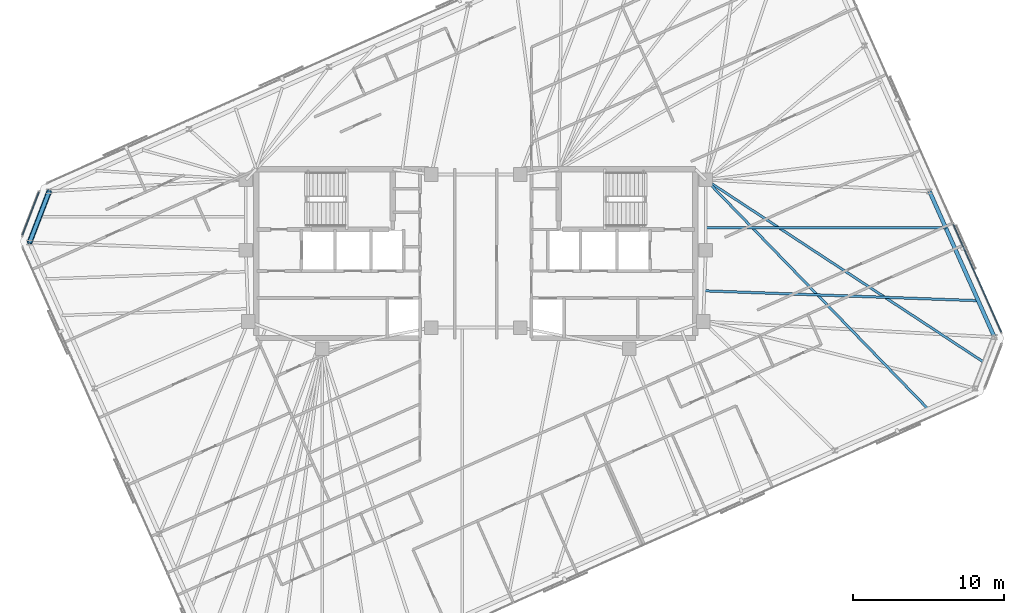
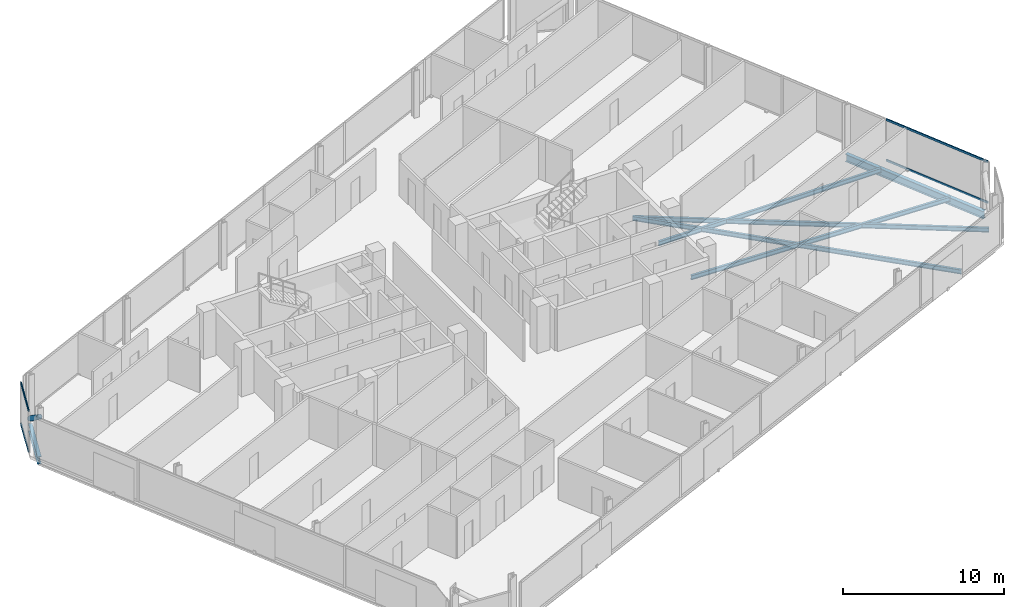
# One storey, part 8 of 19: 6 beams, 5 members, 2 elements without a shape of their own.
"""IFC4 building model written with IfcOpenShell, lengths in metres."""

import ifcopenshell
import ifcopenshell.guid

model = None  # the IFC model being written
_history = None  # IfcOwnerHistory: only IFC2X3 demands one
_inside = {}  # id of a spatial element -> (the spatial element, [elements in it])
_under = {}  # id of a project, library or spatial element -> (it, [spatial elements below it])
_declared = {}  # id of a project -> (the project, [libraries it declares])
_typed = {}  # id of a type object -> (the type object, [elements of that type])
_made_of = {}  # id of a material, layer set ... -> (it, [elements and type objects made of it])


def new_model(schema):
    """Start an empty IFC model of exactly this schema.

    Asked for "IFC4X3", IfcOpenShell would pick the latest addendum, in which some entities
    have other attributes; the version numbers below select the first issue.
    IFC2X3 requires an IfcOwnerHistory on every rooted entity: one is made here for all.
    """
    global model, _history
    if schema == "IFC4X3":
        model = ifcopenshell.file(schema_version=(4, 3, 0, 0))
    else:
        model = ifcopenshell.file(schema=schema)
    _inside.clear()
    _under.clear()
    _declared.clear()
    _typed.clear()
    _made_of.clear()
    _history = None
    if model.schema == "IFC2X3":
        org = make("IfcOrganization", Name="unknown")
        user = make(
            "IfcPersonAndOrganization",
            ThePerson=make("IfcPerson", FamilyName="unknown"),
            TheOrganization=org,
        )
        app = make(
            "IfcApplication",
            ApplicationDeveloper=org,
            Version="unknown",
            ApplicationFullName="unknown",
            ApplicationIdentifier="unknown",
        )
        _history = make(
            "IfcOwnerHistory",
            OwningUser=user,
            OwningApplication=app,
            ChangeAction="ADDED",
            CreationDate=0,
        )
    return model


def make(cls, **values):
    """One entity of the class cls with the attributes given. An attribute that is None is left unset."""
    return model.create_entity(
        cls, **{name: value for name, value in values.items() if value is not None}
    )


def rooted(cls, **values):
    """An entity with a GlobalId (a new one), such as an element, a storey or a relation."""
    return make(cls, GlobalId=ifcopenshell.guid.new(), OwnerHistory=_history, **values)


def si_unit(unit_type, name, prefix=None):
    """IfcSIUnit, for example si_unit("LENGTHUNIT", "METRE", prefix="MILLI")."""
    return make("IfcSIUnit", UnitType=unit_type, Prefix=prefix, Name=name)


def assignment(units):
    """IfcUnitAssignment: the units of a project."""
    return None if units is None else make("IfcUnitAssignment", Units=units)


def point(xyz):
    """IfcCartesianPoint."""
    return None if xyz is None else make("IfcCartesianPoint", Coordinates=xyz)


def direction(xyz):
    """IfcDirection."""
    return None if xyz is None else make("IfcDirection", DirectionRatios=xyz)


def frame(location, z_axis=None, x_axis=None):
    """IfcAxis2Placement3D, a coordinate frame: its origin and axes. An axis left out is left unset."""
    return make(
        "IfcAxis2Placement3D",
        Location=point(location),
        Axis=direction(z_axis),
        RefDirection=direction(x_axis),
    )


def frame_2d(location, x_axis=None):
    """IfcAxis2Placement2D, a coordinate frame in the plane: its origin and x axis."""
    return make(
        "IfcAxis2Placement2D", Location=point(location), RefDirection=direction(x_axis)
    )


def origin():
    """The frame at (0, 0, 0) with its axes left unset."""
    return frame((0.0, 0.0, 0.0))


def origin_2d():
    """The frame at (0, 0) in the plane with its x axis left unset."""
    return frame_2d((0.0, 0.0))


def place(relative_to, where):
    """IfcLocalPlacement: puts the frame where relative to a parent placement (None: the world)."""
    return make(
        "IfcLocalPlacement", PlacementRelTo=relative_to, RelativePlacement=where
    )


def context(
    kind, dimensions, precision=None, world=None, true_north=None, identifier=None
):
    """IfcGeometricRepresentationContext, for example the 3D "Model" context."""
    return make(
        "IfcGeometricRepresentationContext",
        ContextIdentifier=identifier,
        ContextType=kind,
        CoordinateSpaceDimension=dimensions,
        Precision=precision,
        WorldCoordinateSystem=world,
        TrueNorth=true_north,
    )


def subcontext(parent, identifier, kind, view, scale=None):
    """IfcGeometricRepresentationSubContext, for example "Body" below "Model"."""
    return make(
        "IfcGeometricRepresentationSubContext",
        ContextIdentifier=identifier,
        ContextType=kind,
        ParentContext=parent,
        TargetScale=scale,
        TargetView=view,
    )


def project(units=None, contexts=None):
    """IfcProject with its units and contexts."""
    return rooted(
        "IfcProject",
        Name="project",
        RepresentationContexts=contexts,
        UnitsInContext=assignment(units),
    )


def spatial(cls, under=None, at=None, **own):
    """A site, building, storey or space (cls), placed at a placement, below another one or the project."""
    s = rooted(cls, ObjectPlacement=at, **own)
    if under is not None:
        _under.setdefault(under.id(), (under, []))[1].append(s)
    return s


def profile(cls, at=None, kind="AREA", **sizes):
    """A parametric profile (cls). Its sizes go by their IFC names, for example OverallWidth=200.0."""
    return make(cls, ProfileType=kind, Position=at, **sizes)


def rectangle(**sizes):
    """IfcRectangleProfileDef."""
    return profile("IfcRectangleProfileDef", **sizes)


def hollow_circle(**sizes):
    """IfcCircleHollowProfileDef."""
    return profile("IfcCircleHollowProfileDef", **sizes)


def i_section(**sizes):
    """IfcIShapeProfileDef."""
    return profile("IfcIShapeProfileDef", **sizes)


def extrude(swept, where, along, depth):
    """IfcExtrudedAreaSolid: the profile swept, set in the frame where, extruded along a direction by depth."""
    return make(
        "IfcExtrudedAreaSolid",
        SweptArea=swept,
        Position=where,
        ExtrudedDirection=direction(along),
        Depth=depth,
    )


def shape(context_of_items, identifier, shape_type, items):
    """IfcShapeRepresentation: the items that make up one representation, for example the "Body"."""
    return make(
        "IfcShapeRepresentation",
        ContextOfItems=context_of_items,
        RepresentationIdentifier=identifier,
        RepresentationType=shape_type,
        Items=items,
    )


def material(Name=None, Category=None):
    """IfcMaterial."""
    return make("IfcMaterial", Name=Name, Category=Category)


def material_profile(
    of_material, cross_section, Name=None, Category=None, Priority=None
):
    """IfcMaterialProfile: a cross section and its material."""
    return make(
        "IfcMaterialProfile",
        Name=Name,
        Material=of_material,
        Profile=cross_section,
        Priority=Priority,
        Category=Category,
    )


def profile_set(profiles, Name=None, composite=None):
    """IfcMaterialProfileSet."""
    return make(
        "IfcMaterialProfileSet",
        Name=Name,
        MaterialProfiles=profiles,
        CompositeProfile=composite,
    )


def made_of(thing, what):
    """Note that an element or type object is made of a material, layer set ...; save() writes the relation."""
    if what is not None:
        _made_of.setdefault(what.id(), (what, []))[1].append(thing)
    return thing


def type_object(cls, material=None, **own):
    """A type object (cls), such as IfcWallType, which elements share."""
    return made_of(rooted(cls, **own), material)


def element(
    cls,
    number,
    at=None,
    inside=None,
    cuts=None,
    type_object=None,
    material=None,
    context=None,
    identifier="Body",
    shape_type=None,
    held_by="IfcProductDefinitionShape",
    body=None,
    shapes=None,
    **own,
):
    """One element of the class cls, such as IfcWall. Its Tag is "e" and its number.

    at: its placement. inside: the storey or other place that contains it. cuts: it is an
    opening in that element (IfcRelVoidsElement). A single representation is given by context,
    identifier, shape_type and body (its items); several are given by shapes. held_by: the class
    of the entity that holds the representations. save() writes the other relations.
    """
    e = rooted(cls, Tag="e%d" % number, ObjectPlacement=at, **own)
    if body is not None:
        shapes = [shape(context, identifier, shape_type, body)]
    if shapes is not None:
        e.Representation = make(held_by, Representations=shapes)
    if inside is not None:
        _inside.setdefault(inside.id(), (inside, []))[1].append(e)
    if cuts is not None:
        rooted(
            "IfcRelVoidsElement", RelatingBuildingElement=cuts, RelatedOpeningElement=e
        )
    if type_object is not None:
        _typed.setdefault(type_object.id(), (type_object, []))[1].append(e)
    return made_of(e, material)


def aggregate(whole, parts):
    """IfcRelAggregates: a whole, such as a stair, and the parts it consists of."""
    return rooted("IfcRelAggregates", RelatingObject=whole, RelatedObjects=parts)


def save(model, path):
    """Write the relations noted so far, then the file.

    IfcRelAggregates (storeys below a building ...), IfcRelContainedInSpatialStructure (elements
    in a storey), IfcRelDefinesByType, IfcRelAssociatesMaterial and IfcRelDeclares: one each for
    every whole, place, type object, material and project.
    """
    for whole, parts in _under.values():
        aggregate(whole, parts)
    for where, things in _inside.values():
        rooted(
            "IfcRelContainedInSpatialStructure",
            RelatedElements=things,
            RelatingStructure=where,
        )
    for kind, things in _typed.values():
        rooted("IfcRelDefinesByType", RelatedObjects=things, RelatingType=kind)
    for what, things in _made_of.values():
        rooted("IfcRelAssociatesMaterial", RelatedObjects=things, RelatingMaterial=what)
    for by, libraries in _declared.values():
        rooted("IfcRelDeclares", RelatingContext=by, RelatedDefinitions=libraries)
    model.write(path)


model = new_model("IFC4")

# Units and contexts
model_context = context("Model", 3, precision=1e-05, world=origin(), true_north=direction((0.0, 1.0)))
body_context = subcontext(model_context, "Body", "Model", "MODEL_VIEW")
ifc_project = project(units=[si_unit("LENGTHUNIT", "METRE"), si_unit("AREAUNIT", "SQUARE_METRE"), si_unit("VOLUMEUNIT", "CUBIC_METRE"), si_unit("PLANEANGLEUNIT", "RADIAN"), si_unit("MASSUNIT", "GRAM", prefix="KILO")], contexts=[model_context])

# Site, building, storey
site_placement = place(None, origin())
site = spatial("IfcSite", under=ifc_project, at=site_placement, CompositionType="ELEMENT")
building_placement = place(site_placement, origin())
building = spatial("IfcBuilding", under=site, at=building_placement, Name="Menara Jurai Vektor", CompositionType="ELEMENT")
storey_placement = place(building_placement, frame((0.0, 0.0, 302.0)))
storey = spatial("IfcBuildingStorey", under=building, at=storey_placement, Name="L81", CompositionType="ELEMENT", Elevation=302.0)

# Curtain wall, members
ifc_material_1 = material(Name="Anodised Pale Aluminium & Low-E Double Glazing", Category="aluminium")
curtain_wall_type = type_object("IfcCurtainWallType", Name="CW-BLK5", PredefinedType="NOTDEFINED", material=ifc_material_1)
curtain_wall_1_placement = place(storey_placement, origin())
curtain_wall_1 = element("IfcCurtainWall", 1, at=curtain_wall_1_placement, inside=storey, type_object=curtain_wall_type, Name="Unitised Curtain Wall L81 F03", PredefinedType="NOTDEFINED")
ifc_material_2 = material(Name="Anodised Pale Aluminium Transom", Category="aluminium")
ifc_material_profile_1 = material_profile(ifc_material_2, rectangle(XDim=0.074951171875, YDim=0.155029296875, at=origin_2d()), Name="ALU TRN 75x155")
ifc_profile_set_1 = profile_set([ifc_material_profile_1], Name="Anodised Pale Aluminium Transom")
member_type_1 = type_object("IfcMemberType", Name="CW-BLK5-TRN", PredefinedType="USERDEFINED", material=ifc_profile_set_1)
member_1_placement = place(storey_placement, frame((34.840087890625, -5.19189453125, 0.03759765625), z_axis=(-0.406739711224, 0.913544091609, 0.0), x_axis=(-0.913544091609, -0.406739711224, 0.0)))
member_1 = element("IfcMember", 2, at=member_1_placement, type_object=member_type_1, Name="CW-05 transom 1.1", ObjectType="TRANSOM", PredefinedType="USERDEFINED", context=body_context, shape_type="SweptSolid", body=[
    extrude(rectangle(XDim=0.074951171875, YDim=0.155029296875, at=origin_2d()), origin(), (0.0, 0.0, 1.0), 7.797607421875),
])
member_2_placement = place(storey_placement, frame((34.840087890625, -5.19189453125, 3.107421875), z_axis=(-0.406739711224, 0.913544091609, 0.0), x_axis=(-0.913544091609, -0.406739711224, 0.0)))
member_2 = element("IfcMember", 3, at=member_2_placement, type_object=member_type_1, Name="CW-05 transom 1.2", ObjectType="TRANSOM", PredefinedType="USERDEFINED", context=body_context, shape_type="SweptSolid", body=[
    extrude(rectangle(XDim=0.074951171875, YDim=0.155029296875, at=origin_2d()), origin(), (0.0, 0.0, 1.0), 7.797607421875),
])
aggregate(curtain_wall_1, [member_1, member_2])

curtain_wall_2_placement = place(storey_placement, origin())
curtain_wall_2 = element("IfcCurtainWall", 4, at=curtain_wall_2_placement, inside=storey, type_object=curtain_wall_type, Name="Unitised Curtain Wall L81 F06", PredefinedType="NOTDEFINED")
member_3_placement = place(storey_placement, frame((-28.96923828125, 4.079345703125, 0.03759765625), z_axis=(-0.358324523823, -0.933597094911, 0.0), x_axis=(0.933597094911, -0.358324523823, 0.0)))
member_3 = element("IfcMember", 5, at=member_3_placement, type_object=member_type_1, Name="CW-05 transom 1.1", ObjectType="TRANSOM", PredefinedType="USERDEFINED", context=body_context, shape_type="SweptSolid", body=[
    extrude(rectangle(XDim=0.074951171875, YDim=0.155029296875, at=origin_2d()), origin(), (0.0, 0.0, 1.0), 3.049560546875),
])
member_4_placement = place(storey_placement, frame((-28.96923828125, 4.079345703125, 3.107421875), z_axis=(-0.358324523823, -0.933597094911, 0.0), x_axis=(0.933597094911, -0.358324523823, 0.0)))
member_4 = element("IfcMember", 6, at=member_4_placement, type_object=member_type_1, Name="CW-05 transom 1.2", ObjectType="TRANSOM", PredefinedType="USERDEFINED", context=body_context, shape_type="SweptSolid", body=[
    extrude(rectangle(XDim=0.074951171875, YDim=0.155029296875, at=origin_2d()), origin(), (0.0, 0.0, 1.0), 3.049560546875),
])
aggregate(curtain_wall_2, [member_3, member_4])

# Member
ifc_material_3 = material(Name="Steel S460", Category="steel")
ifc_material_profile_2 = material_profile(ifc_material_3, hollow_circle(Radius=0.177734375, WallThickness=0.01611328125, at=origin_2d()), Name="CHS 355.6x16")
ifc_profile_set_2 = profile_set([ifc_material_profile_2], Name="Steel S460")
member_type_2 = type_object("IfcMemberType", Name="STR-BR-356", PredefinedType="BRACE", material=ifc_profile_set_2)
member_5_placement = place(storey_placement, frame((-28.2880859375, 4.1328125, 0.14990234375), z_axis=(-0.289866889621, -0.75506524993, 0.588093236358), x_axis=(0.933570293083, -0.358394346877, 0.0)))
element("IfcMember", 7, at=member_5_placement, inside=storey, type_object=member_type_2, Name="Exoskeleton Corner Brace L81-3", PredefinedType="BRACE", context=body_context, shape_type="SweptSolid", body=[
    extrude(hollow_circle(Radius=0.177734375, WallThickness=0.01611328125, at=origin_2d()), origin(), (0.0, 0.0, 1.0), 4.49755859375),
])

# Beams
ifc_material_4 = material(Name="Steel S355", Category="steel")
ifc_material_profile_3 = material_profile(ifc_material_4, i_section(OverallWidth=0.1650390625, OverallDepth=0.330078125, WebThickness=0.009033203125, FlangeThickness=0.013916015625, at=origin_2d()), Name="PG 330x165x46")
ifc_profile_set_3 = profile_set([ifc_material_profile_3], Name="Steel S355")
beam_type_1 = type_object("IfcBeamType", Name="STR-JS-330", PredefinedType="JOIST", material=ifc_profile_set_3)
beam_1_placement = place(storey_placement, frame((29.996826171875, -10.30908203125, -0.389892578125), z_axis=(-0.696114697983, 0.717930586653, 0.0), x_axis=(-0.717930586653, -0.696114697983, 0.0)))
element("IfcBeam", 8, at=beam_1_placement, inside=storey, type_object=beam_type_1, Name="Radial Secondary Floor Joist L81-JS06", PredefinedType="JOIST", context=body_context, shape_type="SweptSolid", body=[
    extrude(i_section(OverallWidth=0.1650390625, OverallDepth=0.330078125, WebThickness=0.009033203125, FlangeThickness=0.013916015625, at=origin_2d()), origin(), (0.0, 0.0, 1.0), 21.1845703125),
])
beam_2_placement = place(storey_placement, frame((33.739990234375, -7.23486328125, -0.389892578125), z_axis=(-0.836033194478, 0.54867886576, 0.0), x_axis=(-0.54867886576, -0.836033194478, 0.0)))
element("IfcBeam", 9, at=beam_2_placement, inside=storey, type_object=beam_type_1, Name="Radial Secondary Floor Joist L81-JS07", PredefinedType="JOIST", context=body_context, shape_type="SweptSolid", body=[
    extrude(i_section(OverallWidth=0.1650390625, OverallDepth=0.330078125, WebThickness=0.009033203125, FlangeThickness=0.013916015625, at=origin_2d()), origin(), (0.0, 0.0, 1.0), 22.116455078125),
])
beam_3_placement = place(storey_placement, frame((33.315185546875, -3.119384765625, -0.389892578125), z_axis=(-0.999351699571, 0.036002507761, 0.0), x_axis=(-0.036002507761, -0.999351699571, 0.0)))
element("IfcBeam", 10, at=beam_3_placement, inside=storey, type_object=beam_type_1, Name="Radial Secondary Floor Joist L81-JS08", PredefinedType="JOIST", context=body_context, shape_type="SweptSolid", body=[
    extrude(i_section(OverallWidth=0.1650390625, OverallDepth=0.330078125, WebThickness=0.009033203125, FlangeThickness=0.013916015625, at=origin_2d()), origin(), (0.0, 0.0, 1.0), 18.173583984375),
])
beam_4_placement = place(storey_placement, frame((31.16259765625, 1.7158203125, -0.389892578125), z_axis=(-1.0, 0.0, 0.0), x_axis=(0.0, -1.0, 0.0)))
element("IfcBeam", 11, at=beam_4_placement, inside=storey, type_object=beam_type_1, Name="Radial Secondary Floor Joist L81-JS09", PredefinedType="JOIST", context=body_context, shape_type="SweptSolid", body=[
    extrude(i_section(OverallWidth=0.1650390625, OverallDepth=0.330078125, WebThickness=0.009033203125, FlangeThickness=0.013916015625, at=origin_2d()), origin(), (0.0, 0.0, 1.0), 15.91259765625),
])
ifc_material_profile_4 = material_profile(ifc_material_4, i_section(OverallWidth=0.260009765625, OverallDepth=0.570068359375, WebThickness=0.013916015625, FlangeThickness=0.02392578125, at=origin_2d()), Name="PG 570x260x145")
ifc_profile_set_4 = profile_set([ifc_material_profile_4], Name="Steel S355")
beam_type_2 = type_object("IfcBeamType", Name="STR-SP-570", PredefinedType="SPANDREL", material=ifc_profile_set_4)
beam_5_placement = place(storey_placement, frame((34.3916015625, -5.536865234375, -0.510009765625), z_axis=(-0.40673543049, 0.91354599752, 0.0), x_axis=(-0.91354599752, -0.40673543049, 0.0)))
element("IfcBeam", 12, at=beam_5_placement, inside=storey, type_object=beam_type_2, Name="Exoskeleton Spandrel Beam L81-07", PredefinedType="SPANDREL", context=body_context, shape_type="SweptSolid", body=[
    extrude(i_section(OverallWidth=0.260009765625, OverallDepth=0.570068359375, WebThickness=0.013916015625, FlangeThickness=0.02392578125, at=origin_2d()), origin(), (0.0, 0.0, 1.0), 10.585205078125),
])
beam_6_placement = place(storey_placement, frame((-28.2880859375, 4.1328125, -0.510009765625), z_axis=(-0.358394346877, -0.933570293083, 0.0), x_axis=(0.933570293083, -0.358394346877, 0.0)))
element("IfcBeam", 13, at=beam_6_placement, inside=storey, type_object=beam_type_2, Name="Exoskeleton Spandrel Beam L81-16", PredefinedType="SPANDREL", context=body_context, shape_type="SweptSolid", body=[
    extrude(i_section(OverallWidth=0.260009765625, OverallDepth=0.570068359375, WebThickness=0.013916015625, FlangeThickness=0.02392578125, at=origin_2d()), origin(), (0.0, 0.0, 1.0), 3.6376953125),
])

save(model, "model.ifc")
